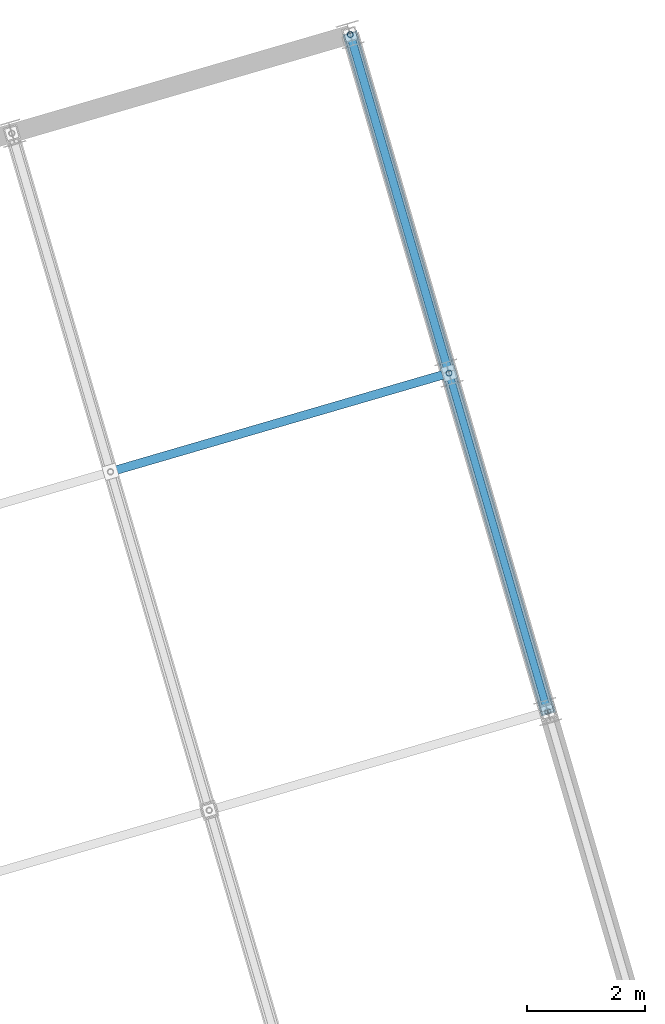
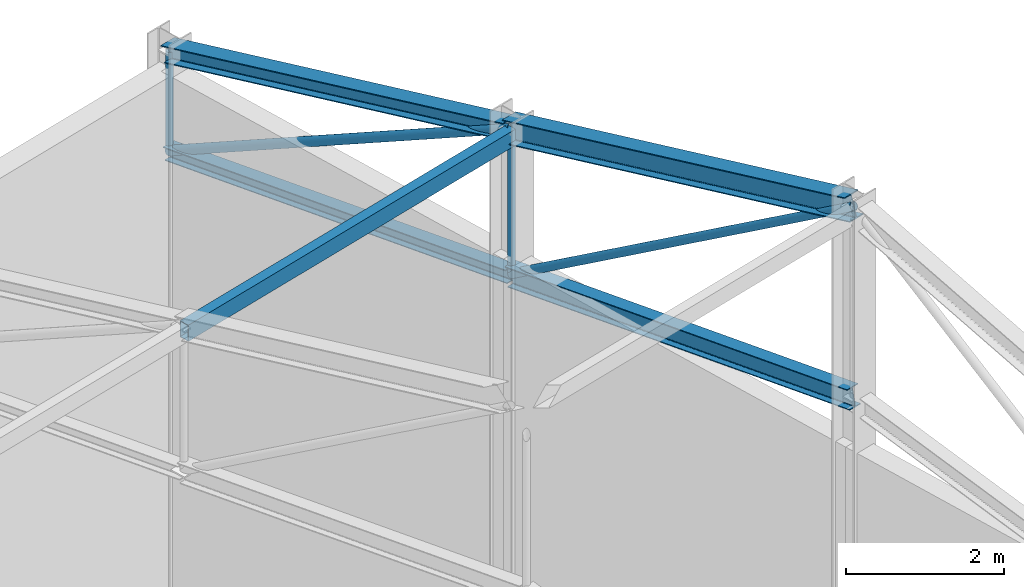
# One storey, part 183 of 248: 9 members.
"""IFC4 building model written with IfcOpenShell, lengths in metres."""

from ifc_helpers import new_model, si_unit, direction, frame, origin, origin_2d, place, context, subcontext, project, spatial, hollow_rectangle, hollow_circle, i_section, extrude, material, material_profile, profile_set, type_object, element, save


model = new_model("IFC4")

# Units and contexts
model_context = context("Model", 3, precision=1e-05, world=origin(), true_north=direction((0.0, 1.0)))
body_context = subcontext(model_context, "Body", "Model", "MODEL_VIEW")
ifc_project = project(units=[si_unit("LENGTHUNIT", "METRE"), si_unit("AREAUNIT", "SQUARE_METRE"), si_unit("VOLUMEUNIT", "CUBIC_METRE"), si_unit("PLANEANGLEUNIT", "RADIAN"), si_unit("MASSUNIT", "GRAM", prefix="KILO")], contexts=[model_context])

# Site, building, storey
site_placement = place(None, origin())
site = spatial("IfcSite", under=ifc_project, at=site_placement, CompositionType="ELEMENT")
building_placement = place(site_placement, origin())
building = spatial("IfcBuilding", under=site, at=building_placement, Name="Canggui Botanical Conservatory", CompositionType="ELEMENT")
storey_placement = place(building_placement, frame((0.0, 0.0, 5.39990234375)))
storey = spatial("IfcBuildingStorey", under=building, at=storey_placement, Name="L02", CompositionType="ELEMENT", Elevation=5.39990234375)

# Members
ifc_material = material(Name="Steel Q355B", Category="steel")
ifc_material_profile_1 = material_profile(ifc_material, hollow_rectangle(XDim=0.14990234375, YDim=0.25, WallThickness=0.008056640625, at=origin_2d()), Name="RHS 150x250x8")
ifc_profile_set_1 = profile_set([ifc_material_profile_1], Name="Steel Q355B")
member_type_1 = type_object("IfcMemberType", Name="MEM-PUR01", PredefinedType="PURLIN", material=ifc_profile_set_1)
member_1_placement = place(storey_placement, frame((89.760009765625, 115.679931640625, 11.550048828125), z_axis=(0.959992252312, 0.280026562133, 0.0), x_axis=(-0.280026562133, 0.959992252312, 0.0)))
element("IfcMember", 1, at=member_1_placement, inside=storey, type_object=member_type_1, Name="Auditorium Roof Purlin 6-3", PredefinedType="PURLIN", context=body_context, shape_type="SweptSolid", body=[
    extrude(hollow_rectangle(XDim=0.14990234375, YDim=0.25, WallThickness=0.008056640625, at=origin_2d()), origin(), (0.0, 0.0, 1.0), 6.0),
])
ifc_material_profile_2 = material_profile(ifc_material, i_section(OverallWidth=0.25, OverallDepth=0.25, WebThickness=0.009033203125, FlangeThickness=0.013916015625, FilletRadius=0.01611328125, at=origin_2d()), Name="HW 250x250x9x14")
ifc_profile_set_2 = profile_set([ifc_material_profile_2], Name="Steel Q355B")
member_type_2 = type_object("IfcMemberType", Name="MEM-TC01", PredefinedType="CHORD", material=ifc_profile_set_2)
member_2_placement = place(storey_placement, frame((95.52001953125, 117.360107421875, 11.650146484375), z_axis=(-0.269385502469, 0.923646586216, -0.272595735168), x_axis=(-0.960003190047, -0.279989062464, 0.0)))
element("IfcMember", 2, at=member_2_placement, inside=storey, type_object=member_type_2, Name="Auditorium Truss AT-07 Top Chord 4", PredefinedType="CHORD", context=body_context, shape_type="SweptSolid", body=[
    extrude(i_section(OverallWidth=0.25, OverallDepth=0.25, WebThickness=0.009033203125, FlangeThickness=0.013916015625, FilletRadius=0.01611328125, at=origin_2d()), origin(), (0.0, 0.0, 1.0), 6.236083984375),
])
ifc_material_profile_3 = material_profile(ifc_material, i_section(OverallWidth=0.199951171875, OverallDepth=0.199951171875, WebThickness=0.008056640625, FlangeThickness=0.011962890625, FilletRadius=0.012939453125, at=origin_2d()), Name="HW 200x200x8x12")
ifc_profile_set_3 = profile_set([ifc_material_profile_3], Name="Steel Q355B")
member_type_3 = type_object("IfcMemberType", Name="MEM-TC02", PredefinedType="CHORD", material=ifc_profile_set_3)
member_3_placement = place(storey_placement, frame((95.52001953125, 117.360107421875, 9.400146484375), z_axis=(-0.276179497805, 0.946941271868, -0.16439924764), x_axis=(-0.960003190047, -0.279989062464, 0.0)))
element("IfcMember", 3, at=member_3_placement, inside=storey, type_object=member_type_3, Name="Auditorium Truss AT-07 Bottom Chord 4", PredefinedType="CHORD", context=body_context, shape_type="SweptSolid", body=[
    extrude(i_section(OverallWidth=0.199951171875, OverallDepth=0.199951171875, WebThickness=0.008056640625, FlangeThickness=0.011962890625, FilletRadius=0.012939453125, at=origin_2d()), origin(), (0.0, 0.0, 1.0), 6.082763671875),
])
ifc_material_profile_4 = material_profile(ifc_material, i_section(OverallWidth=0.25, OverallDepth=0.35009765625, WebThickness=0.009033203125, FlangeThickness=0.013916015625, FilletRadius=0.02001953125, at=origin_2d()), Name="HM 350x250x9x14")
ifc_profile_set_4 = profile_set([ifc_material_profile_4], Name="Steel Q355B")
member_type_4 = type_object("IfcMemberType", Name="MEM-TC03", PredefinedType="CHORD", material=ifc_profile_set_4)
member_4_placement = place(storey_placement, frame((97.199951171875, 111.60009765625, 13.35009765625), z_axis=(-0.269385502469, 0.923646586216, -0.272595735168), x_axis=(-0.960003190047, -0.279989062464, 0.0)))
element("IfcMember", 4, at=member_4_placement, inside=storey, type_object=member_type_4, Name="Auditorium Truss AT-07 Top Chord 3", PredefinedType="CHORD", context=body_context, shape_type="SweptSolid", body=[
    extrude(i_section(OverallWidth=0.25, OverallDepth=0.35009765625, WebThickness=0.009033203125, FlangeThickness=0.013916015625, FilletRadius=0.02001953125, at=origin_2d()), origin(), (0.0, 0.0, 1.0), 6.236083984375),
])
ifc_material_profile_5 = material_profile(ifc_material, i_section(OverallWidth=0.199951171875, OverallDepth=0.300048828125, WebThickness=0.008056640625, FlangeThickness=0.011962890625, FilletRadius=0.01806640625, at=origin_2d()), Name="HM 300x200x8x12")
ifc_profile_set_5 = profile_set([ifc_material_profile_5], Name="Steel Q355B")
member_type_5 = type_object("IfcMemberType", Name="MEM-TC04", PredefinedType="CHORD", material=ifc_profile_set_5)
member_5_placement = place(storey_placement, frame((97.199951171875, 111.60009765625, 10.400146484375), z_axis=(-0.276179497805, 0.946941271868, -0.16439924764), x_axis=(-0.960003190047, -0.279989062464, 0.0)))
element("IfcMember", 5, at=member_5_placement, inside=storey, type_object=member_type_5, Name="Auditorium Truss AT-07 Bottom Chord 3", PredefinedType="CHORD", context=body_context, shape_type="SweptSolid", body=[
    extrude(i_section(OverallWidth=0.199951171875, OverallDepth=0.300048828125, WebThickness=0.008056640625, FlangeThickness=0.011962890625, FilletRadius=0.01806640625, at=origin_2d()), origin(), (0.0, 0.0, 1.0), 6.082763671875),
])
ifc_material_profile_6 = material_profile(ifc_material, hollow_circle(Radius=0.070068359375, WallThickness=0.006103515625, at=origin_2d()), Name="CHS 140x6")
ifc_profile_set_6 = profile_set([ifc_material_profile_6], Name="Steel Q355B")
member_type_6 = type_object("IfcMemberType", Name="MEM-TW01", PredefinedType="BRACE", material=ifc_profile_set_6)
member_6_placement = place(storey_placement, frame((93.840087890625, 123.1201171875, 8.400146484375), z_axis=(0.246192042448, -0.844122781207, 0.476283747867), x_axis=(0.960003190047, 0.279989062464, 0.0)))
element("IfcMember", 6, at=member_6_placement, inside=storey, type_object=member_type_6, Name="Auditorium Truss AT-07 Web Diagonal 4", PredefinedType="BRACE", context=body_context, shape_type="SweptSolid", body=[
    extrude(hollow_circle(Radius=0.070068359375, WallThickness=0.006103515625, at=origin_2d()), origin(), (0.0, 0.0, 1.0), 6.82373046875),
])
ifc_material_profile_7 = material_profile(ifc_material, hollow_circle(Radius=0.0634765625, WallThickness=0.006103515625, at=origin_2d()), Name="CHS 127x6")
ifc_profile_set_7 = profile_set([ifc_material_profile_7], Name="Steel Q355B")
member_type_7 = type_object("IfcMemberType", Name="MEM-TW02", PredefinedType="BRACE", material=ifc_profile_set_7)
member_7_placement = place(storey_placement, frame((95.52001953125, 117.360107421875, 9.400146484375), z_axis=(0.233861297543, -0.801844149531, 0.54986803269), x_axis=(0.960003190047, 0.279989062464, 0.0)))
element("IfcMember", 7, at=member_7_placement, inside=storey, type_object=member_type_7, Name="Auditorium Truss AT-07 Web Diagonal 3", PredefinedType="BRACE", context=body_context, shape_type="SweptSolid", body=[
    extrude(hollow_circle(Radius=0.0634765625, WallThickness=0.006103515625, at=origin_2d()), origin(), (0.0, 0.0, 1.0), 7.183349609375),
])
ifc_material_profile_8 = material_profile(ifc_material, hollow_circle(Radius=0.051025390625, WallThickness=0.0048828125, at=origin_2d()), Name="CHS 102x5")
ifc_profile_set_8 = profile_set([ifc_material_profile_8], Name="Steel Q355B")
member_type_8 = type_object("IfcMemberType", Name="MEM-TW04", PredefinedType="BRACE", material=ifc_profile_set_8)
member_8_placement = place(storey_placement, frame((95.52001953125, 117.360107421875, 9.400146484375), z_axis=(0.0, 0.0, 1.0), x_axis=(1.0, 0.0, 0.0)))
element("IfcMember", 8, at=member_8_placement, inside=storey, type_object=member_type_8, Name="Auditorium Truss AT-07 Vertical Post 4", PredefinedType="BRACE", context=body_context, shape_type="SweptSolid", body=[
    extrude(hollow_circle(Radius=0.051025390625, WallThickness=0.0048828125, at=origin_2d()), origin(), (0.0, 0.0, 1.0), 2.25),
])
member_9_placement = place(storey_placement, frame((93.840087890625, 123.1201171875, 8.400146484375), z_axis=(0.0, 0.0, 1.0), x_axis=(1.0, 0.0, 0.0)))
element("IfcMember", 9, at=member_9_placement, inside=storey, type_object=member_type_8, Name="Auditorium Truss AT-07 Vertical Post 5", PredefinedType="BRACE", context=body_context, shape_type="SweptSolid", body=[
    extrude(hollow_circle(Radius=0.051025390625, WallThickness=0.0048828125, at=origin_2d()), origin(), (0.0, 0.0, 1.0), 1.550048828125),
])

save(model, "model.ifc")
